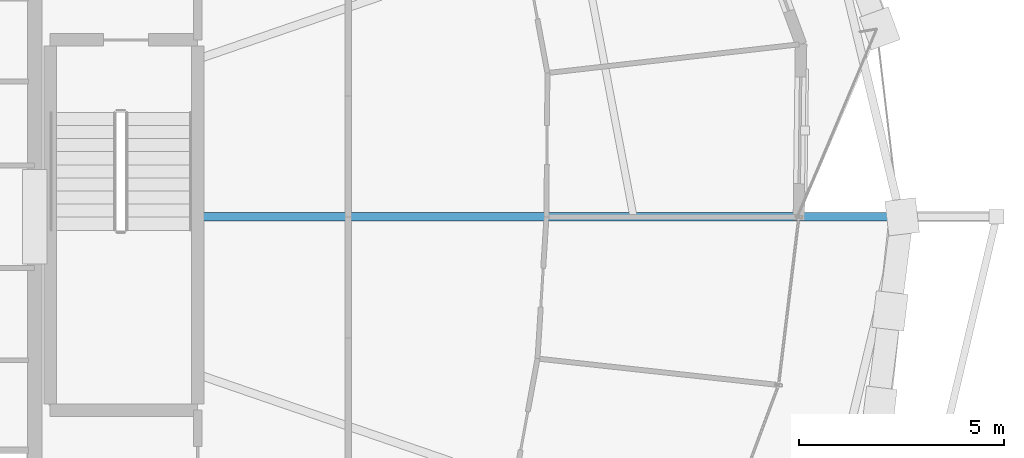
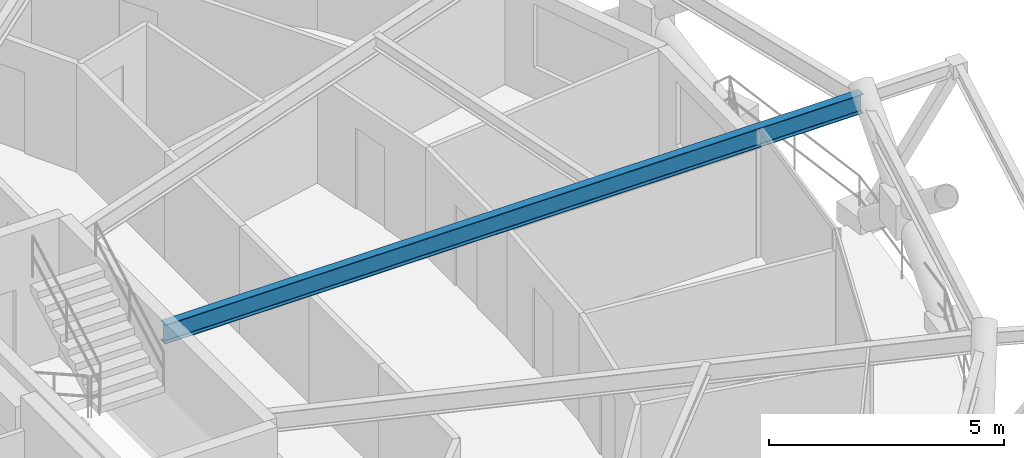
# One storey, part 11 of 22: 1 beam.
"""IFC4 building model written with IfcOpenShell, lengths in metres."""

from ifc_helpers import new_model, si_unit, direction, frame, origin, origin_2d, place, context, subcontext, project, spatial, i_section, extrude, material, material_profile, profile_set, type_object, element, save


model = new_model("IFC4")

# Units and contexts
model_context = context("Model", 3, precision=1e-05, world=origin(), true_north=direction((0.0, 1.0)))
body_context = subcontext(model_context, "Body", "Model", "MODEL_VIEW")
ifc_project = project(units=[si_unit("LENGTHUNIT", "METRE"), si_unit("AREAUNIT", "SQUARE_METRE"), si_unit("VOLUMEUNIT", "CUBIC_METRE"), si_unit("PLANEANGLEUNIT", "RADIAN"), si_unit("MASSUNIT", "GRAM", prefix="KILO")], contexts=[model_context])

# Site, building, storey
site_placement = place(None, origin())
site = spatial("IfcSite", under=ifc_project, at=site_placement, CompositionType="ELEMENT")
building_placement = place(site_placement, origin())
building = spatial("IfcBuilding", under=site, at=building_placement, Name="Veldorina Hangang Commons", CompositionType="ELEMENT")
storey_placement = place(building_placement, frame((0.0, 0.0, 146.0)))
storey = spatial("IfcBuildingStorey", under=building, at=storey_placement, Name="L37", CompositionType="ELEMENT", Elevation=146.0)

# Beam
ifc_material = material(Name="Steel SM420-TMC", Category="steel")
ifc_material_profile = material_profile(ifc_material, i_section(OverallWidth=0.199951171875, OverallDepth=0.5, WebThickness=0.010009765625, FlangeThickness=0.01611328125, FilletRadius=0.01611328125, at=origin_2d()), Name="H-500x200x10x16")
ifc_profile_set = profile_set([ifc_material_profile], Name="Steel SM420-TMC")
beam_type = type_object("IfcBeamType", Name="BM-FG500", PredefinedType="BEAM", material=ifc_profile_set)
beam_placement = place(storey_placement, frame((43.179931640625, 24.0, 3.10009765625), z_axis=(1.0, 0.0, 0.0), x_axis=(0.0, 1.0, 0.0)))
element("IfcBeam", 1, at=beam_placement, inside=storey, type_object=beam_type, Name="L37 radial floor girder 01", PredefinedType="BEAM", context=body_context, shape_type="SweptSolid", body=[
    extrude(i_section(OverallWidth=0.199951171875, OverallDepth=0.5, WebThickness=0.010009765625, FlangeThickness=0.01611328125, FilletRadius=0.01611328125, at=origin_2d()), origin(), (0.0, 0.0, 1.0), 17.152099609375),
])

save(model, "model.ifc")
